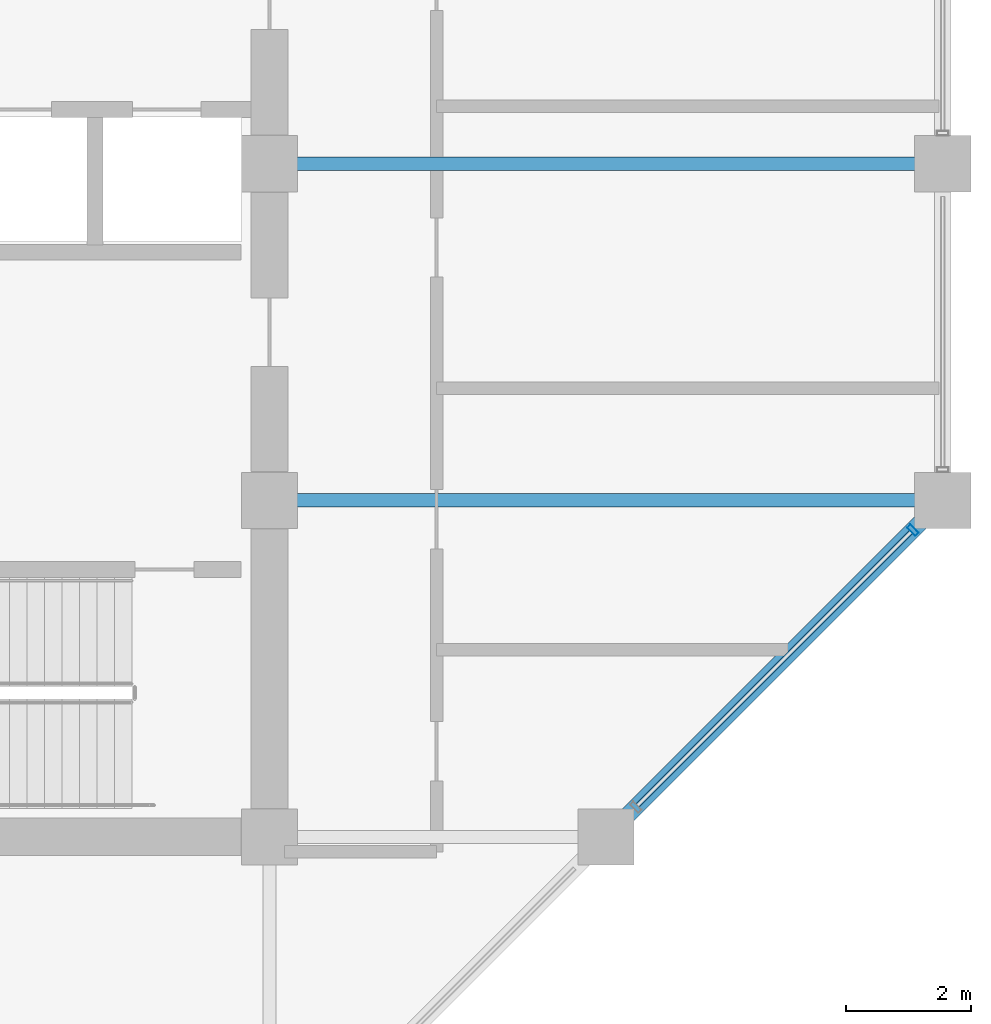
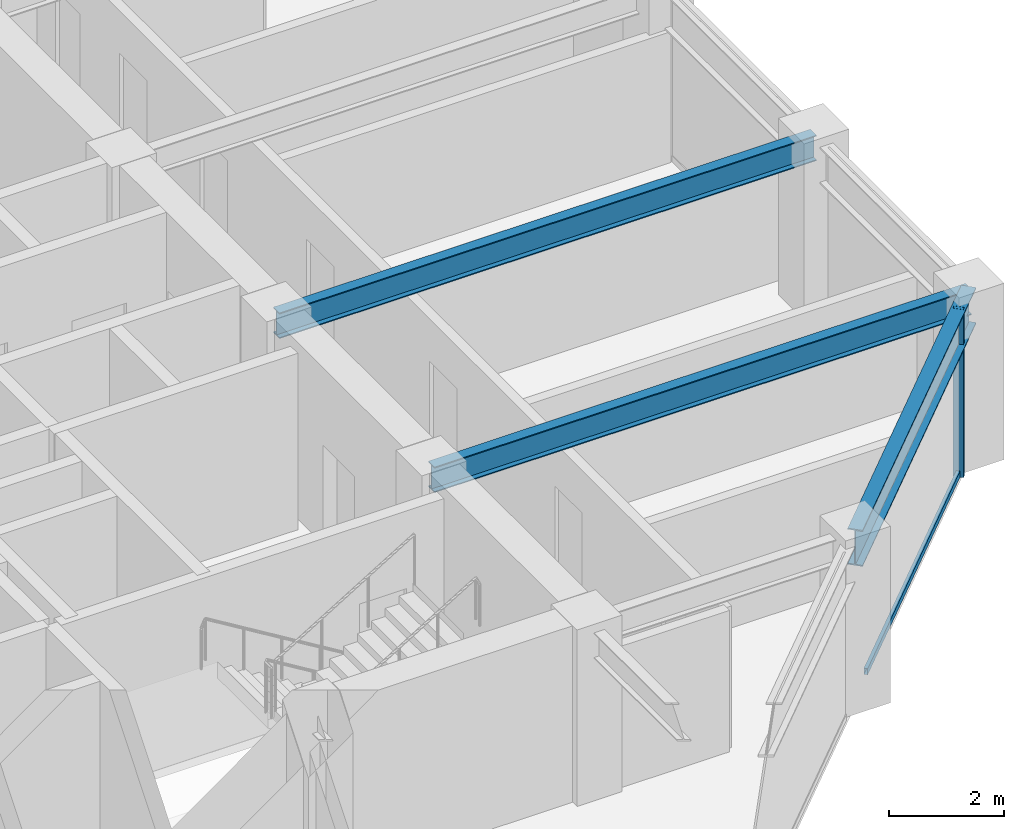
# One storey, part 13 of 32: 3 beams, 2 members, 1 element without a shape of its own.
"""IFC4 building model written with IfcOpenShell, lengths in metres."""

from ifc_helpers import new_model, si_unit, direction, frame, origin, origin_2d, place, context, subcontext, project, spatial, hollow_rectangle, i_section, extrude, material, layer, layer_set, material_profile, profile_set, type_object, element, aggregate, save


model = new_model("IFC4")

# Units and contexts
model_context = context("Model", 3, precision=1e-05, world=origin(), true_north=direction((0.0, 1.0)))
body_context = subcontext(model_context, "Body", "Model", "MODEL_VIEW")
ifc_project = project(units=[si_unit("LENGTHUNIT", "METRE"), si_unit("AREAUNIT", "SQUARE_METRE"), si_unit("VOLUMEUNIT", "CUBIC_METRE"), si_unit("PLANEANGLEUNIT", "RADIAN"), si_unit("MASSUNIT", "GRAM", prefix="KILO")], contexts=[model_context])

# Site, building, storey
site_placement = place(None, origin())
site = spatial("IfcSite", under=ifc_project, at=site_placement, CompositionType="ELEMENT")
building_placement = place(site_placement, origin())
building = spatial("IfcBuilding", under=site, at=building_placement, Name="Surkhivell Harbour Commons", CompositionType="ELEMENT")
storey_placement = place(building_placement, frame((0.0, 0.0, 204.75)))
storey = spatial("IfcBuildingStorey", under=building, at=storey_placement, Name="L53", CompositionType="ELEMENT", Elevation=204.75)

# Beams
ifc_material_1 = material(Name="Steel S355", Category="steel")
ifc_material_profile_1 = material_profile(ifc_material_1, i_section(OverallWidth=0.2119140625, OverallDepth=0.5439453125, WebThickness=0.0126953125, FlangeThickness=0.021240234375, at=origin_2d()), Name="UB533x210x122")
ifc_profile_set_1 = profile_set([ifc_material_profile_1], Name="Steel S355")
beam_type_1 = type_object("IfcBeamType", Name="BM-GRD-533A", PredefinedType="BEAM", material=ifc_profile_set_1)
for number, where, z_axis, x_axis, name in (
    (1, (10.800048828125, -5.39990234375, 3.298095703125), (1.0, 0.0, 0.0), (0.0, 1.0, 0.0), "L53 Floor Girder (10.8,-5.4)"),
    (2, (10.800048828125, 0.0, 3.298095703125), (1.0, 0.0, 0.0), (0.0, 1.0, 0.0), "L53 Floor Girder (10.8,0.0)"),
):
    element("IfcBeam", number, at=place(storey_placement, frame(where, z_axis=z_axis, x_axis=x_axis)), inside=storey, type_object=beam_type_1, Name=name, PredefinedType="BEAM", context=body_context, shape_type="SweptSolid", body=[
        extrude(i_section(OverallWidth=0.2119140625, OverallDepth=0.5439453125, WebThickness=0.0126953125, FlangeThickness=0.021240234375, at=origin_2d()), origin(), (0.0, 0.0, 1.0), 10.800048828125),
    ])
ifc_material_profile_2 = material_profile(ifc_material_1, i_section(OverallWidth=0.26806640625, OverallDepth=0.77001953125, WebThickness=0.015625, FlangeThickness=0.025390625, at=origin_2d()), Name="UB762x267x197")
ifc_profile_set_2 = profile_set([ifc_material_profile_2], Name="Steel S355")
beam_type_2 = type_object("IfcBeamType", Name="BM-SPN-762", PredefinedType="SPANDREL", material=ifc_profile_set_2)
beam_placement = place(storey_placement, frame((16.199951171875, -10.800048828125, 3.18505859375), z_axis=(0.707106781187, 0.707106781187, 0.0), x_axis=(-0.707106781187, 0.707106781187, 0.0)))
element("IfcBeam", 3, at=beam_placement, inside=storey, type_object=beam_type_2, Name="L53 Tube Spandrel (16.2,-10.8)", PredefinedType="SPANDREL", context=body_context, shape_type="SweptSolid", body=[
    extrude(i_section(OverallWidth=0.26806640625, OverallDepth=0.77001953125, WebThickness=0.015625, FlangeThickness=0.025390625, at=origin_2d()), origin(), (0.0, 0.0, 1.0), 7.636962890625),
])

# Curtain wall, members
ifc_material_2 = material(Name="Anodised pale-metal aluminium and insulated glazing", Category="aluminium")
ifc_layer = layer(ifc_material_2, 0.18994140625)
ifc_layer_set = layer_set([ifc_layer], Name="Anodised pale-metal aluminium and insulated glazing")
curtain_wall_type = type_object("IfcCurtainWallType", Name="CW-SYS-Z3", PredefinedType="NOTDEFINED", material=ifc_layer_set)
curtain_wall_placement = place(storey_placement, origin())
curtain_wall = element("IfcCurtainWall", 4, at=curtain_wall_placement, inside=storey, type_object=curtain_wall_type, Name="L53 Curtain Wall CW-L53-E01", PredefinedType="NOTDEFINED")
ifc_material_3 = material(Name="Anodised pale-metal aluminium alloy 6063-T6", Category="aluminium")
ifc_material_profile_3 = material_profile(ifc_material_3, hollow_rectangle(XDim=0.074951171875, YDim=0.18994140625, WallThickness=0.00390625, at=origin_2d()), Name="ALU-MULL-75x190")
ifc_profile_set_3 = profile_set([ifc_material_profile_3], Name="Anodised pale-metal aluminium alloy 6063-T6")
member_type_1 = type_object("IfcMemberType", Name="CWM-190", PredefinedType="MULLION", material=ifc_profile_set_3)
member_1_placement = place(storey_placement, frame((21.121826171875, -5.878173828125, 0.0), z_axis=(0.0, 0.0, 1.0), x_axis=(0.707106781187, 0.707106781187, 0.0)))
member_1 = element("IfcMember", 5, at=member_1_placement, type_object=member_type_1, Name="CW-Z3 mullion 4", PredefinedType="MULLION", context=body_context, shape_type="SweptSolid", body=[
    extrude(hollow_rectangle(XDim=0.074951171875, YDim=0.18994140625, WallThickness=0.00390625, at=origin_2d()), origin(), (0.0, 0.0, 1.0), 3.570068359375),
])
ifc_material_4 = material(Name="Champagne anodised aluminium alloy 6063-T6", Category="aluminium")
ifc_material_profile_4 = material_profile(ifc_material_4, hollow_rectangle(XDim=0.070068359375, YDim=0.1298828125, WallThickness=0.00341796875, at=origin_2d()), Name="ALU-TRAN-70x130")
ifc_profile_set_4 = profile_set([ifc_material_profile_4], Name="Champagne anodised aluminium alloy 6063-T6")
member_type_2 = type_object("IfcMemberType", Name="CWT-130", PredefinedType="USERDEFINED", material=ifc_profile_set_4)
member_2_placement = place(storey_placement, frame((16.70458984375, -10.29541015625, 0.06494140625), z_axis=(0.707106781187, 0.707106781187, 0.0), x_axis=(-0.707106781187, 0.707106781187, 0.0)))
member_2 = element("IfcMember", 6, at=member_2_placement, type_object=member_type_2, Name="CW-Z3 transom 3.1", ObjectType="TRANSOM", PredefinedType="USERDEFINED", context=body_context, shape_type="SweptSolid", body=[
    extrude(hollow_rectangle(XDim=0.070068359375, YDim=0.1298828125, WallThickness=0.00341796875, at=origin_2d()), origin(), (0.0, 0.0, 1.0), 6.209228515625),
])
aggregate(curtain_wall, [member_1, member_2])

save(model, "model.ifc")
